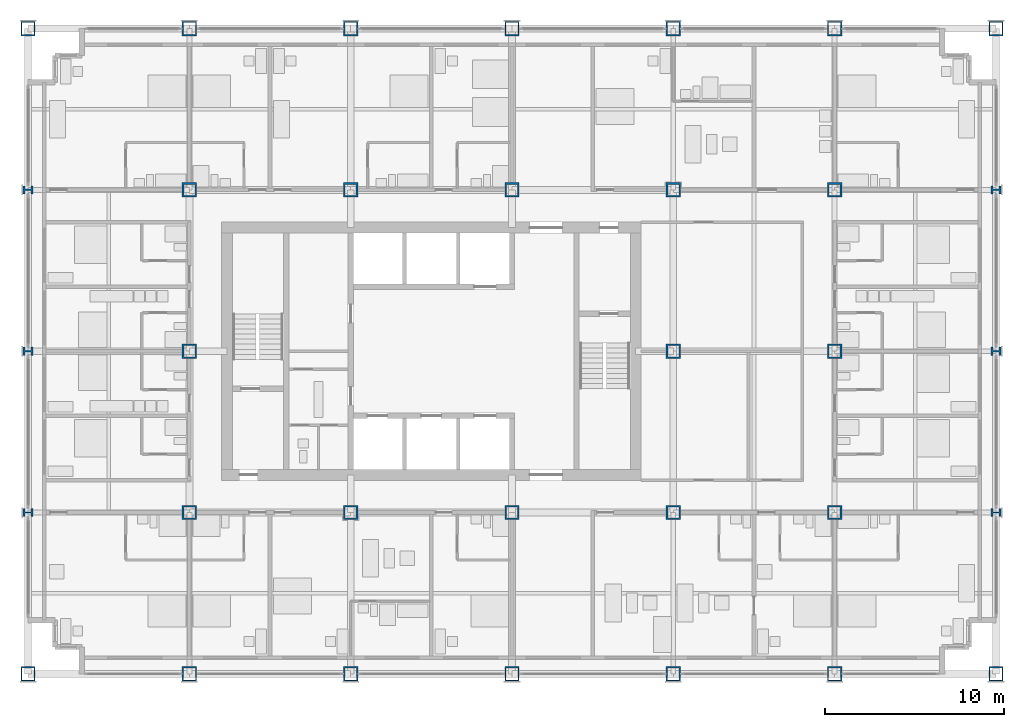
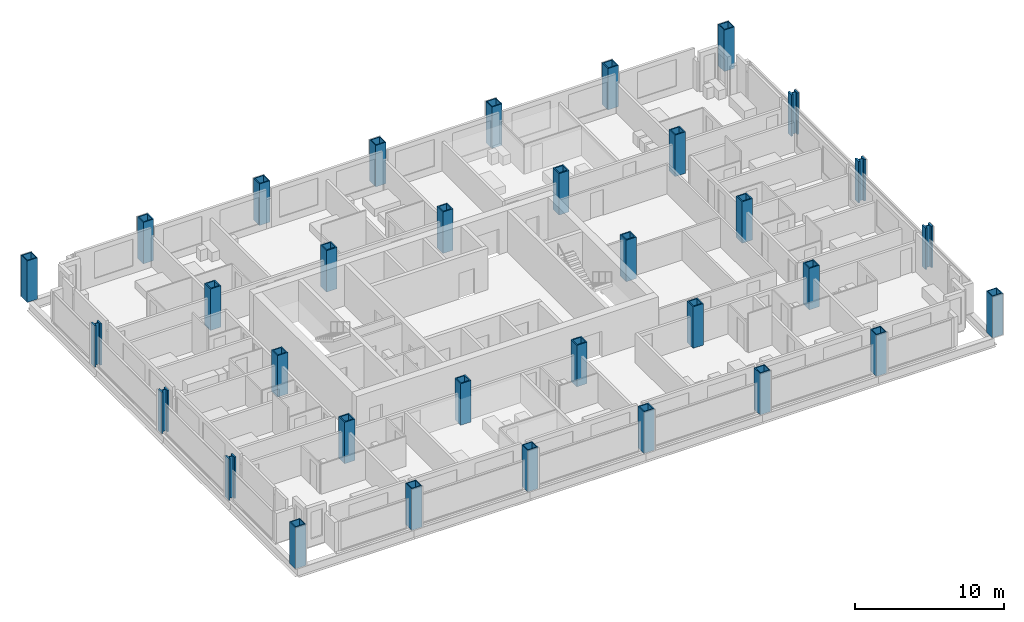
# One storey, part 1 of 18: 33 columns.
"""IFC4 building model written with IfcOpenShell, lengths in metres."""

from ifc_helpers import new_model, si_unit, direction, frame, origin, origin_2d, place, context, subcontext, project, spatial, hollow_rectangle, i_section, extrude, material, material_profile, profile_set, type_object, element, save


model = new_model("IFC4")

# Units and contexts
model_context = context("Model", 3, precision=1e-05, world=origin(), true_north=direction((0.0, 1.0)))
body_context = subcontext(model_context, "Body", "Model", "MODEL_VIEW")
ifc_project = project(units=[si_unit("LENGTHUNIT", "METRE"), si_unit("AREAUNIT", "SQUARE_METRE"), si_unit("VOLUMEUNIT", "CUBIC_METRE"), si_unit("PLANEANGLEUNIT", "RADIAN"), si_unit("MASSUNIT", "GRAM", prefix="KILO")], contexts=[model_context])

# Site, building, storey
site_placement = place(None, origin())
site = spatial("IfcSite", under=ifc_project, at=site_placement, CompositionType="ELEMENT")
building_placement = place(site_placement, origin())
building = spatial("IfcBuilding", under=site, at=building_placement, Name="Loomwork Tower", CompositionType="ELEMENT")
storey_placement = place(building_placement, frame((0.0, 0.0, 58.60009765625)))
storey = spatial("IfcBuildingStorey", under=building, at=storey_placement, Name="L14", CompositionType="ELEMENT", Elevation=58.60009765625)

# Columns
ifc_material_1 = material(Name="Steel ASTM A572 Grade 50 plate", Category="steel")
ifc_material_profile_1 = material_profile(ifc_material_1, hollow_rectangle(XDim=0.800048828125, YDim=0.800048828125, WallThickness=0.070068359375, at=origin_2d()), Name="BOX800x70")
ifc_profile_set_1 = profile_set([ifc_material_profile_1], Name="Steel ASTM A572 Grade 50 plate")
column_type_1 = type_object("IfcColumnType", Name="EXOSKELETON PIER BOX800x70", PredefinedType="COLUMN", material=ifc_profile_set_1)
for number, where, z_axis, x_axis, name in (
    (1, (0.0, 0.0, 0.0), (0.0, 0.0, 1.0), (1.0, 0.0, 0.0), "Exoskeleton Pier D/2 L14"),
    (2, (0.0, 36.0, 0.0), (0.0, 0.0, 1.0), (1.0, 0.0, 0.0), "Exoskeleton Pier H/2 L14"),
    (3, (9.0, 0.0, 0.0), (0.0, 0.0, 1.0), (1.0, 0.0, 0.0), "Exoskeleton Pier D/3 L14"),
    (4, (9.0, 36.0, 0.0), (0.0, 0.0, 1.0), (1.0, 0.0, 0.0), "Exoskeleton Pier H/3 L14"),
    (5, (18.0, 0.0, 0.0), (0.0, 0.0, 1.0), (1.0, 0.0, 0.0), "Exoskeleton Pier D/4 L14"),
    (6, (18.0, 36.0, 0.0), (0.0, 0.0, 1.0), (1.0, 0.0, 0.0), "Exoskeleton Pier H/4 L14"),
    (7, (27.0, 0.0, 0.0), (0.0, 0.0, 1.0), (1.0, 0.0, 0.0), "Exoskeleton Pier D/5 L14"),
    (8, (27.0, 36.0, 0.0), (0.0, 0.0, 1.0), (1.0, 0.0, 0.0), "Exoskeleton Pier H/5 L14"),
    (9, (36.0, 0.0, 0.0), (0.0, 0.0, 1.0), (1.0, 0.0, 0.0), "Exoskeleton Pier D/6 L14"),
    (10, (36.0, 36.0, 0.0), (0.0, 0.0, 1.0), (1.0, 0.0, 0.0), "Exoskeleton Pier H/6 L14"),
    (11, (45.0, 0.0, 0.0), (0.0, 0.0, 1.0), (1.0, 0.0, 0.0), "Exoskeleton Pier D/7 L14"),
    (12, (45.0, 36.0, 0.0), (0.0, 0.0, 1.0), (1.0, 0.0, 0.0), "Exoskeleton Pier H/7 L14"),
    (13, (54.0, 0.0, 0.0), (0.0, 0.0, 1.0), (1.0, 0.0, 0.0), "Exoskeleton Pier D/8 L14"),
    (14, (54.0, 36.0, 0.0), (0.0, 0.0, 1.0), (1.0, 0.0, 0.0), "Exoskeleton Pier H/8 L14"),
):
    element("IfcColumn", number, at=place(storey_placement, frame(where, z_axis=z_axis, x_axis=x_axis)), inside=storey, type_object=column_type_1, Name=name, PredefinedType="COLUMN", context=body_context, shape_type="SweptSolid", body=[
        extrude(hollow_rectangle(XDim=0.800048828125, YDim=0.800048828125, WallThickness=0.070068359375, at=origin_2d()), origin(), (0.0, 0.0, 1.0), 3.39990234375),
    ])
ifc_material_2 = material(Name="Steel ASTM A992", Category="steel")
ifc_material_profile_2 = material_profile(ifc_material_2, i_section(OverallWidth=0.45458984375, OverallDepth=0.56884765625, WebThickness=0.077880859375, FlangeThickness=0.124755859375, at=origin_2d()), Name="W14x730")
ifc_profile_set_2 = profile_set([ifc_material_profile_2], Name="Steel ASTM A992")
column_type_2 = type_object("IfcColumnType", Name="EXOSKELETON PIER W14x730", PredefinedType="COLUMN", material=ifc_profile_set_2)
for number, where, z_axis, x_axis, name in (
    (15, (0.0, 9.0, 0.0), (0.0, 0.0, 1.0), (0.0, 1.0, 0.0), "Exoskeleton Pier E/2 L14"),
    (16, (0.0, 18.0, 0.0), (0.0, 0.0, 1.0), (0.0, 1.0, 0.0), "Exoskeleton Pier F/2 L14"),
    (17, (0.0, 27.0, 0.0), (0.0, 0.0, 1.0), (0.0, 1.0, 0.0), "Exoskeleton Pier G/2 L14"),
    (18, (54.0, 9.0, 0.0), (0.0, 0.0, 1.0), (0.0, 1.0, 0.0), "Exoskeleton Pier E/8 L14"),
    (19, (54.0, 18.0, 0.0), (0.0, 0.0, 1.0), (0.0, 1.0, 0.0), "Exoskeleton Pier F/8 L14"),
    (20, (54.0, 27.0, 0.0), (0.0, 0.0, 1.0), (0.0, 1.0, 0.0), "Exoskeleton Pier G/8 L14"),
):
    element("IfcColumn", number, at=place(storey_placement, frame(where, z_axis=z_axis, x_axis=x_axis)), inside=storey, type_object=column_type_2, Name=name, PredefinedType="COLUMN", context=body_context, shape_type="SweptSolid", body=[
        extrude(i_section(OverallWidth=0.45458984375, OverallDepth=0.56884765625, WebThickness=0.077880859375, FlangeThickness=0.124755859375, at=origin_2d()), origin(), (0.0, 0.0, 1.0), 3.39990234375),
    ])
ifc_material_3 = material(Name="Steel ASTM A572 Grade 50 plate", Category="steel")
ifc_material_profile_3 = material_profile(ifc_material_3, hollow_rectangle(XDim=0.800048828125, YDim=0.800048828125, WallThickness=0.090087890625, at=origin_2d()), Name="BOX800x90")
ifc_profile_set_3 = profile_set([ifc_material_profile_3], Name="Steel ASTM A572 Grade 50 plate")
column_type_3 = type_object("IfcColumnType", Name="TOWER COLUMN BOX800x90", PredefinedType="COLUMN", material=ifc_profile_set_3)
for number, where, z_axis, x_axis, name in (
    (21, (9.0, 9.0, 0.0), (0.0, 0.0, 1.0), (1.0, 0.0, 0.0), "Tower Column E/3 L14"),
    (22, (9.0, 18.0, 0.0), (0.0, 0.0, 1.0), (1.0, 0.0, 0.0), "Tower Column F/3 L14"),
    (23, (9.0, 27.0, 0.0), (0.0, 0.0, 1.0), (1.0, 0.0, 0.0), "Tower Column G/3 L14"),
    (24, (18.0, 9.0, 0.0), (0.0, 0.0, 1.0), (1.0, 0.0, 0.0), "Tower Column E/4 L14"),
    (25, (18.0, 27.0, 0.0), (0.0, 0.0, 1.0), (1.0, 0.0, 0.0), "Tower Column G/4 L14"),
    (26, (27.0, 9.0, 0.0), (0.0, 0.0, 1.0), (1.0, 0.0, 0.0), "Tower Column E/5 L14"),
    (27, (27.0, 27.0, 0.0), (0.0, 0.0, 1.0), (1.0, 0.0, 0.0), "Tower Column G/5 L14"),
    (28, (36.0, 9.0, 0.0), (0.0, 0.0, 1.0), (0.0, 1.0, 0.0), "Tower Column E/6 L14"),
    (29, (36.0, 18.0, 0.0), (0.0, 0.0, 1.0), (0.0, 1.0, 0.0), "Tower Column F/6 L14"),
    (30, (36.0, 27.0, 0.0), (0.0, 0.0, 1.0), (1.0, 0.0, 0.0), "Tower Column G/6 L14"),
    (31, (45.0, 9.0, 0.0), (0.0, 0.0, 1.0), (0.0, 1.0, 0.0), "Tower Column E/7 L14"),
    (32, (45.0, 18.0, 0.0), (0.0, 0.0, 1.0), (0.0, 1.0, 0.0), "Tower Column F/7 L14"),
    (33, (45.0, 27.0, 0.0), (0.0, 0.0, 1.0), (0.0, 1.0, 0.0), "Tower Column G/7 L14"),
):
    element("IfcColumn", number, at=place(storey_placement, frame(where, z_axis=z_axis, x_axis=x_axis)), inside=storey, type_object=column_type_3, Name=name, PredefinedType="COLUMN", context=body_context, shape_type="SweptSolid", body=[
        extrude(hollow_rectangle(XDim=0.800048828125, YDim=0.800048828125, WallThickness=0.090087890625, at=origin_2d()), origin(), (0.0, 0.0, 1.0), 3.39990234375),
    ])

save(model, "model.ifc")
